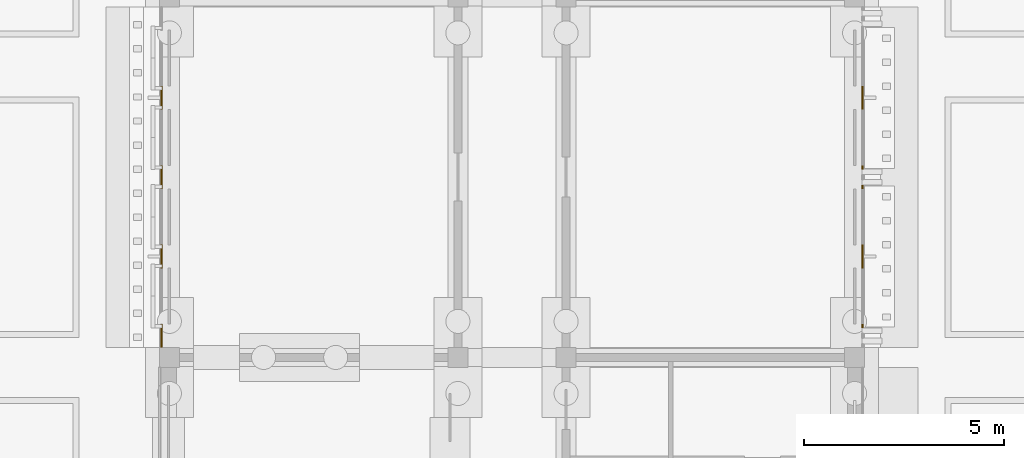
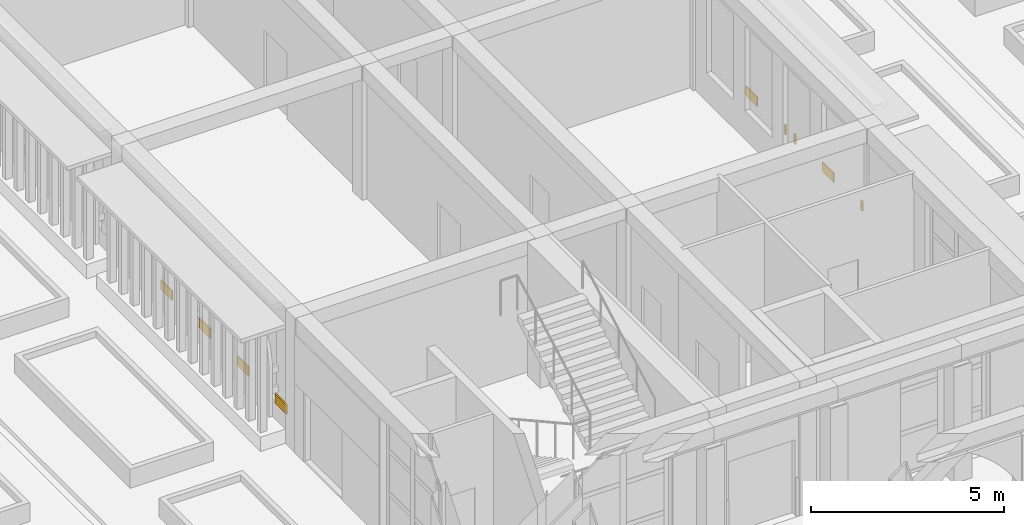
# One storey, part 152 of 161: 9 coverings.
"""IFC4 building model written with IfcOpenShell, lengths in metres."""

from ifc_helpers import new_model, si_unit, direction, frame, origin, origin_2d, place, context, subcontext, project, spatial, rectangle, extrude, material, layer, layer_set, type_object, element, save


model = new_model("IFC4")

# Units and contexts
model_context = context("Model", 3, precision=1e-05, world=origin(), true_north=direction((0.0, 1.0)))
body_context = subcontext(model_context, "Body", "Model", "MODEL_VIEW")
ifc_project = project(units=[si_unit("LENGTHUNIT", "METRE"), si_unit("AREAUNIT", "SQUARE_METRE"), si_unit("VOLUMEUNIT", "CUBIC_METRE"), si_unit("PLANEANGLEUNIT", "RADIAN"), si_unit("MASSUNIT", "GRAM", prefix="KILO")], contexts=[model_context])

# Site, building, storey
site_placement = place(None, origin())
site = spatial("IfcSite", under=ifc_project, at=site_placement, CompositionType="ELEMENT")
building_placement = place(site_placement, origin())
building = spatial("IfcBuilding", under=site, at=building_placement, Name="Elbe Cascade School", CompositionType="ELEMENT")
storey_placement = place(building_placement, origin())
storey = spatial("IfcBuildingStorey", under=building, at=storey_placement, Name="L00", CompositionType="ELEMENT", Elevation=0.0)

# Coverings
ifc_material = material(Name="Sandstone - red", Category="masonry")
ifc_layer = layer(ifc_material, 0.0400390625)
ifc_layer_set = layer_set([ifc_layer], Name="Sandstone - red")
covering_type = type_object("IfcCoveringType", Name="Bars envelope Sandstone cladding, red, 40 mm", PredefinedType="CLADDING", material=ifc_layer_set)
for number, where, z_axis, x_axis, name in (
    (1, (128.0, 15.5400390625, 0.89990234375), (0.0, 0.0, 1.0), (0.0, 1.0, 0.0), "Sandstone cladding CV48 C.L00.w.2.2"),
    (2, (128.0, 17.52001953125, 0.89990234375), (0.0, 0.0, 1.0), (0.0, 1.0, 0.0), "Sandstone cladding CV48 C.L00.w.2.3"),
    (3, (128.0, 19.5, 0.89990234375), (0.0, 0.0, 1.0), (0.0, 1.0, 0.0), "Sandstone cladding CV48 C.L00.w.2.4"),
    (4, (128.0, 21.47998046875, 0.89990234375), (0.0, 0.0, 1.0), (0.0, 1.0, 0.0), "Sandstone cladding CV48 C.L00.w.2.5"),
):
    element("IfcCovering", number, at=place(storey_placement, frame(where, z_axis=z_axis, x_axis=x_axis)), inside=storey, type_object=covering_type, Name=name, PredefinedType="CLADDING", context=body_context, shape_type="SweptSolid", body=[
        extrude(rectangle(XDim=0.580078125, YDim=0.0400390625, at=origin_2d()), origin(), (0.0, 0.0, 1.0), 0.300048828125),
    ])
covering_1_placement = place(storey_placement, frame((145.5, 15.784912109375, 0.89990234375), z_axis=(0.0, 0.0, 1.0), x_axis=(0.0, 1.0, 0.0)))
element("IfcCovering", 5, at=covering_1_placement, inside=storey, type_object=covering_type, Name="Sandstone cladding CV48 C.L00.e.2.8", PredefinedType="CLADDING", context=body_context, shape_type="SweptSolid", body=[
    extrude(rectangle(XDim=0.090087890625, YDim=0.0400390625, at=origin_2d()), origin(), (0.0, 0.0, 1.0), 0.300048828125),
])
covering_2_placement = place(storey_placement, frame((145.5, 17.52001953125, 0.89990234375), z_axis=(0.0, 0.0, 1.0), x_axis=(0.0, 1.0, 0.0)))
element("IfcCovering", 6, at=covering_2_placement, inside=storey, type_object=covering_type, Name="Sandstone cladding CV48 C.L00.e.2.9", PredefinedType="CLADDING", context=body_context, shape_type="SweptSolid", body=[
    extrude(rectangle(XDim=0.580078125, YDim=0.0400390625, at=origin_2d()), origin(), (0.0, 0.0, 1.0), 0.300048828125),
])
for number, where, z_axis, x_axis, name in (
    (7, (145.5, 19.2548828125, 0.89990234375), (0.0, 0.0, 1.0), (0.0, 1.0, 0.0), "Sandstone cladding CV48 C.L00.e.2.10"),
    (8, (145.5, 19.7451171875, 0.89990234375), (0.0, 0.0, 1.0), (0.0, 1.0, 0.0), "Sandstone cladding CV48 C.L00.e.2.11"),
):
    element("IfcCovering", number, at=place(storey_placement, frame(where, z_axis=z_axis, x_axis=x_axis)), inside=storey, type_object=covering_type, Name=name, PredefinedType="CLADDING", context=body_context, shape_type="SweptSolid", body=[
        extrude(rectangle(XDim=0.090087890625, YDim=0.0400390625, at=origin_2d()), origin(), (0.0, 0.0, 1.0), 0.300048828125),
    ])
covering_3_placement = place(storey_placement, frame((145.5, 21.47998046875, 0.89990234375), z_axis=(0.0, 0.0, 1.0), x_axis=(0.0, 1.0, 0.0)))
element("IfcCovering", 9, at=covering_3_placement, inside=storey, type_object=covering_type, Name="Sandstone cladding CV48 C.L00.e.2.12", PredefinedType="CLADDING", context=body_context, shape_type="SweptSolid", body=[
    extrude(rectangle(XDim=0.580078125, YDim=0.0400390625, at=origin_2d()), origin(), (0.0, 0.0, 1.0), 0.300048828125),
])

save(model, "model.ifc")
